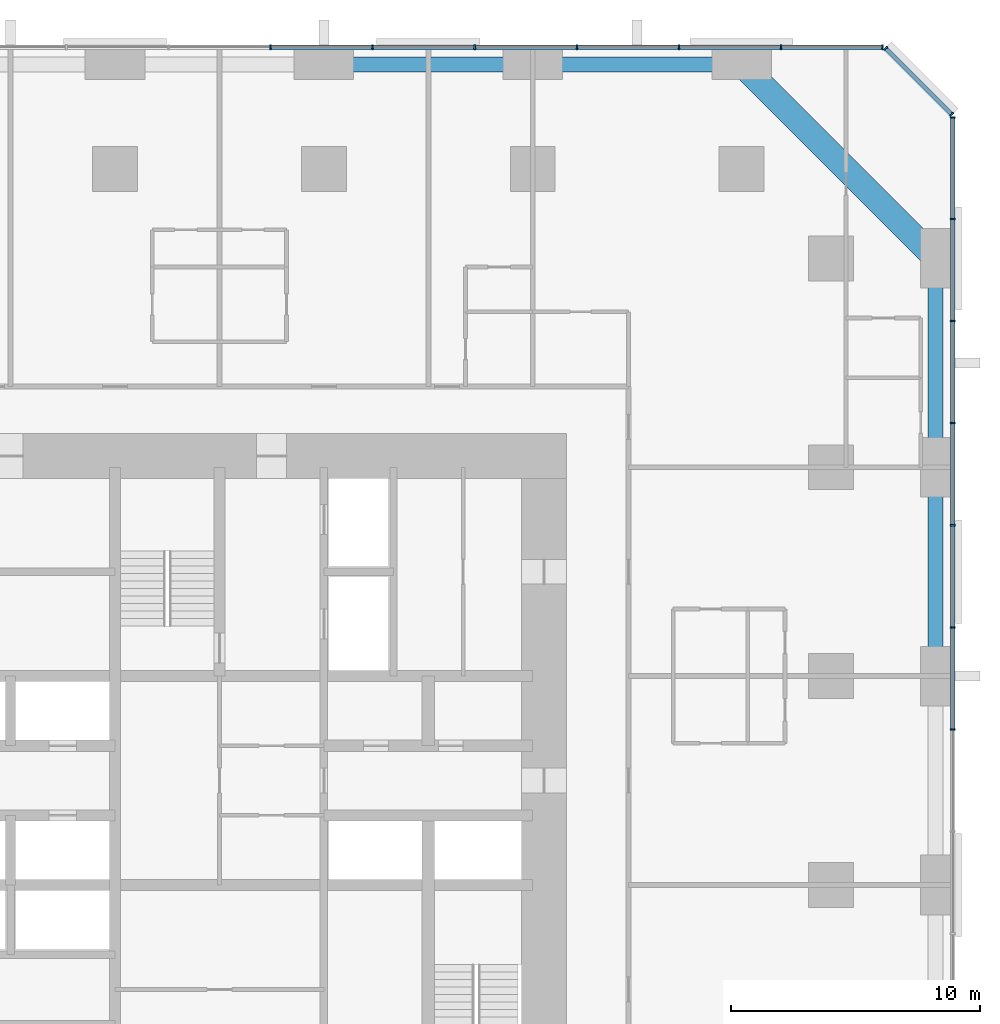
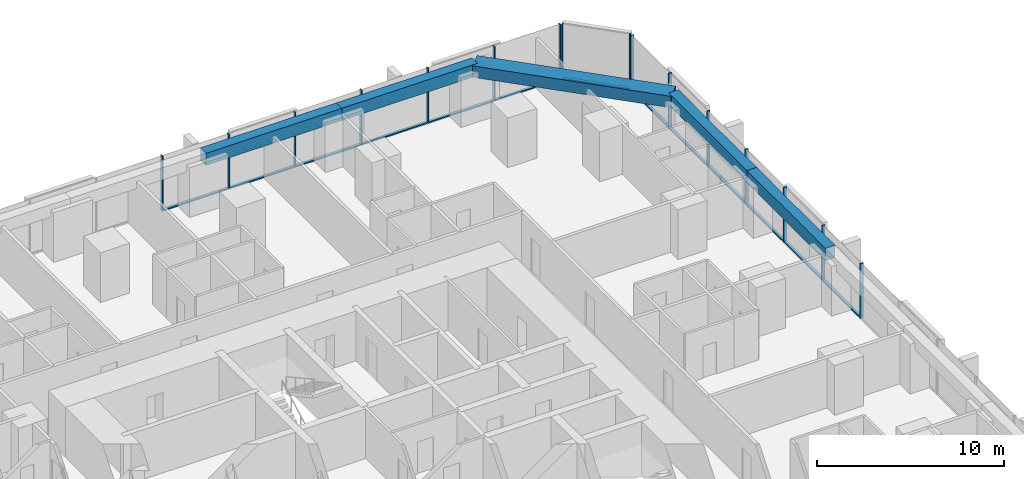
# One storey, part 8 of 17: 29 members, 5 beams, 3 elements without a shape of their own.
"""IFC4 building model written with IfcOpenShell, lengths in metres."""

from ifc_helpers import new_model, si_unit, direction, frame, origin, origin_2d, place, context, subcontext, project, spatial, rectangle, extrude, material, material_profile, profile_set, type_object, element, aggregate, save


model = new_model("IFC4")

# Units and contexts
model_context = context("Model", 3, precision=1e-05, world=origin(), true_north=direction((0.0, 1.0)))
body_context = subcontext(model_context, "Body", "Model", "MODEL_VIEW")
ifc_project = project(units=[si_unit("LENGTHUNIT", "METRE"), si_unit("AREAUNIT", "SQUARE_METRE"), si_unit("VOLUMEUNIT", "CUBIC_METRE"), si_unit("PLANEANGLEUNIT", "RADIAN"), si_unit("MASSUNIT", "GRAM", prefix="KILO")], contexts=[model_context])

# Site, building, storey
site_placement = place(None, origin())
site = spatial("IfcSite", under=ifc_project, at=site_placement, CompositionType="ELEMENT")
building_placement = place(site_placement, origin())
building = spatial("IfcBuilding", under=site, at=building_placement, Name="Dunama Terrace Hotel", CompositionType="ELEMENT")
storey_placement = place(building_placement, frame((0.0, 0.0, 41.39990234375)))
storey = spatial("IfcBuildingStorey", under=building, at=storey_placement, Name="L09", CompositionType="ELEMENT", Elevation=41.39990234375)

# Curtain wall, members
ifc_material_1 = material(Name="Aluminium curtain wall system", Category="aluminium")
curtain_wall_type = type_object("IfcCurtainWallType", Name="Unitised fritted glass wall CW-A", PredefinedType="NOTDEFINED", material=ifc_material_1)
curtain_wall_1_placement = place(storey_placement, origin())
curtain_wall_1 = element("IfcCurtainWall", 1, at=curtain_wall_1_placement, inside=storey, type_object=curtain_wall_type, Name="Unitised fritted glass wall CW-A L09", PredefinedType="NOTDEFINED")
ifc_material_2 = material(Name="Aluminium mullion", Category="aluminium")
ifc_material_profile_1 = material_profile(ifc_material_2, rectangle(XDim=0.06494140625, YDim=0.199951171875, at=origin_2d()), Name="CWA MULLION 65X200")
ifc_profile_set_1 = profile_set([ifc_material_profile_1], Name="Aluminium mullion")
member_type_1 = type_object("IfcMemberType", Name="CWA mullion 65x200", PredefinedType="MULLION", material=ifc_profile_set_1)
member_1_placement = place(storey_placement, frame((58.89990234375, 31.4541015625, 0.0), z_axis=(0.0, 0.0, 1.0), x_axis=(0.0, 1.0, 0.0)))
member_1 = element("IfcMember", 2, at=member_1_placement, type_object=member_type_1, Name="CWA mullion", PredefinedType="MULLION", context=body_context, shape_type="SweptSolid", body=[
    extrude(rectangle(XDim=0.06494140625, YDim=0.199951171875, at=origin_2d()), origin(), (0.0, 0.0, 1.0), 3.60009765625),
])
member_2_placement = place(storey_placement, frame((58.89990234375, 35.56201171875, 0.0), z_axis=(0.0, 0.0, 1.0), x_axis=(0.0, 1.0, 0.0)))
member_2 = element("IfcMember", 3, at=member_2_placement, type_object=member_type_1, Name="CWA mullion", PredefinedType="MULLION", context=body_context, shape_type="SweptSolid", body=[
    extrude(rectangle(XDim=0.06494140625, YDim=0.199951171875, at=origin_2d()), origin(), (0.0, 0.0, 1.0), 3.60009765625),
])
member_3_placement = place(storey_placement, frame((58.89990234375, 39.6689453125, 0.0), z_axis=(0.0, 0.0, 1.0), x_axis=(0.0, 1.0, 0.0)))
member_3 = element("IfcMember", 4, at=member_3_placement, type_object=member_type_1, Name="CWA mullion", PredefinedType="MULLION", context=body_context, shape_type="SweptSolid", body=[
    extrude(rectangle(XDim=0.06494140625, YDim=0.199951171875, at=origin_2d()), origin(), (0.0, 0.0, 1.0), 3.60009765625),
])
member_4_placement = place(storey_placement, frame((58.89990234375, 43.777099609375, 0.0), z_axis=(0.0, 0.0, 1.0), x_axis=(0.0, 1.0, 0.0)))
member_4 = element("IfcMember", 5, at=member_4_placement, type_object=member_type_1, Name="CWA mullion", PredefinedType="MULLION", context=body_context, shape_type="SweptSolid", body=[
    extrude(rectangle(XDim=0.06494140625, YDim=0.199951171875, at=origin_2d()), origin(), (0.0, 0.0, 1.0), 3.60009765625),
])
member_5_placement = place(storey_placement, frame((58.89990234375, 47.885009765625, 0.0), z_axis=(0.0, 0.0, 1.0), x_axis=(0.0, 1.0, 0.0)))
member_5 = element("IfcMember", 6, at=member_5_placement, type_object=member_type_1, Name="CWA mullion", PredefinedType="MULLION", context=body_context, shape_type="SweptSolid", body=[
    extrude(rectangle(XDim=0.06494140625, YDim=0.199951171875, at=origin_2d()), origin(), (0.0, 0.0, 1.0), 3.60009765625),
])
member_6_placement = place(storey_placement, frame((58.89990234375, 51.991943359375, 0.0), z_axis=(0.0, 0.0, 1.0), x_axis=(0.0, 1.0, 0.0)))
member_6 = element("IfcMember", 7, at=member_6_placement, type_object=member_type_1, Name="CWA mullion", PredefinedType="MULLION", context=body_context, shape_type="SweptSolid", body=[
    extrude(rectangle(XDim=0.06494140625, YDim=0.199951171875, at=origin_2d()), origin(), (0.0, 0.0, 1.0), 3.60009765625),
])
member_7_placement = place(storey_placement, frame((58.89990234375, 56.06689453125, 0.0), z_axis=(0.0, 0.0, 1.0), x_axis=(0.0, 1.0, 0.0)))
member_7 = element("IfcMember", 8, at=member_7_placement, type_object=member_type_1, Name="CWA mullion", PredefinedType="MULLION", context=body_context, shape_type="SweptSolid", body=[
    extrude(rectangle(XDim=0.06494140625, YDim=0.199951171875, at=origin_2d()), origin(), (0.0, 0.0, 1.0), 3.60009765625),
])

curtain_wall_2_placement = place(storey_placement, origin())
curtain_wall_2 = element("IfcCurtainWall", 9, at=curtain_wall_2_placement, inside=storey, type_object=curtain_wall_type, Name="Unitised fritted glass wall CW-A L09", PredefinedType="NOTDEFINED")
member_8_placement = place(storey_placement, frame((58.847900390625, 56.194091796875, 0.0), z_axis=(0.0, 0.0, 1.0), x_axis=(-0.707106781187, 0.707106781187, 0.0)))
member_8 = element("IfcMember", 10, at=member_8_placement, type_object=member_type_1, Name="CWA mullion", PredefinedType="MULLION", context=body_context, shape_type="SweptSolid", body=[
    extrude(rectangle(XDim=0.06494140625, YDim=0.199951171875, at=origin_2d()), origin(), (0.0, 0.0, 1.0), 3.60009765625),
])
member_9_placement = place(storey_placement, frame((56.194091796875, 58.847900390625, 0.0), z_axis=(0.0, 0.0, 1.0), x_axis=(-0.707106781187, 0.707106781187, 0.0)))
member_9 = element("IfcMember", 11, at=member_9_placement, type_object=member_type_1, Name="CWA mullion", PredefinedType="MULLION", context=body_context, shape_type="SweptSolid", body=[
    extrude(rectangle(XDim=0.06494140625, YDim=0.199951171875, at=origin_2d()), origin(), (0.0, 0.0, 1.0), 3.60009765625),
])

curtain_wall_3_placement = place(storey_placement, origin())
curtain_wall_3 = element("IfcCurtainWall", 12, at=curtain_wall_3_placement, inside=storey, type_object=curtain_wall_type, Name="Unitised fritted glass wall CW-A L09", PredefinedType="NOTDEFINED")
member_10_placement = place(storey_placement, frame((56.06689453125, 58.89990234375, 0.0), z_axis=(0.0, 0.0, 1.0), x_axis=(-1.0, 0.0, 0.0)))
member_10 = element("IfcMember", 13, at=member_10_placement, type_object=member_type_1, Name="CWA mullion", PredefinedType="MULLION", context=body_context, shape_type="SweptSolid", body=[
    extrude(rectangle(XDim=0.06494140625, YDim=0.199951171875, at=origin_2d()), origin(), (0.0, 0.0, 1.0), 3.60009765625),
])
member_11_placement = place(storey_placement, frame((51.991943359375, 58.89990234375, 0.0), z_axis=(0.0, 0.0, 1.0), x_axis=(-1.0, 0.0, 0.0)))
member_11 = element("IfcMember", 14, at=member_11_placement, type_object=member_type_1, Name="CWA mullion", PredefinedType="MULLION", context=body_context, shape_type="SweptSolid", body=[
    extrude(rectangle(XDim=0.06494140625, YDim=0.199951171875, at=origin_2d()), origin(), (0.0, 0.0, 1.0), 3.60009765625),
])
member_12_placement = place(storey_placement, frame((47.885009765625, 58.89990234375, 0.0), z_axis=(0.0, 0.0, 1.0), x_axis=(-1.0, 0.0, 0.0)))
member_12 = element("IfcMember", 15, at=member_12_placement, type_object=member_type_1, Name="CWA mullion", PredefinedType="MULLION", context=body_context, shape_type="SweptSolid", body=[
    extrude(rectangle(XDim=0.06494140625, YDim=0.199951171875, at=origin_2d()), origin(), (0.0, 0.0, 1.0), 3.60009765625),
])
member_13_placement = place(storey_placement, frame((43.777099609375, 58.89990234375, 0.0), z_axis=(0.0, 0.0, 1.0), x_axis=(-1.0, 0.0, 0.0)))
member_13 = element("IfcMember", 16, at=member_13_placement, type_object=member_type_1, Name="CWA mullion", PredefinedType="MULLION", context=body_context, shape_type="SweptSolid", body=[
    extrude(rectangle(XDim=0.06494140625, YDim=0.199951171875, at=origin_2d()), origin(), (0.0, 0.0, 1.0), 3.60009765625),
])
member_14_placement = place(storey_placement, frame((39.6689453125, 58.89990234375, 0.0), z_axis=(0.0, 0.0, 1.0), x_axis=(-1.0, 0.0, 0.0)))
member_14 = element("IfcMember", 17, at=member_14_placement, type_object=member_type_1, Name="CWA mullion", PredefinedType="MULLION", context=body_context, shape_type="SweptSolid", body=[
    extrude(rectangle(XDim=0.06494140625, YDim=0.199951171875, at=origin_2d()), origin(), (0.0, 0.0, 1.0), 3.60009765625),
])
member_15_placement = place(storey_placement, frame((35.56201171875, 58.89990234375, 0.0), z_axis=(0.0, 0.0, 1.0), x_axis=(-1.0, 0.0, 0.0)))
member_15 = element("IfcMember", 18, at=member_15_placement, type_object=member_type_1, Name="CWA mullion", PredefinedType="MULLION", context=body_context, shape_type="SweptSolid", body=[
    extrude(rectangle(XDim=0.06494140625, YDim=0.199951171875, at=origin_2d()), origin(), (0.0, 0.0, 1.0), 3.60009765625),
])
member_16_placement = place(storey_placement, frame((31.4541015625, 58.89990234375, 0.0), z_axis=(0.0, 0.0, 1.0), x_axis=(-1.0, 0.0, 0.0)))
member_16 = element("IfcMember", 19, at=member_16_placement, type_object=member_type_1, Name="CWA mullion", PredefinedType="MULLION", context=body_context, shape_type="SweptSolid", body=[
    extrude(rectangle(XDim=0.06494140625, YDim=0.199951171875, at=origin_2d()), origin(), (0.0, 0.0, 1.0), 3.60009765625),
])

# Member
ifc_material_3 = material(Name="Aluminium transom", Category="aluminium")
ifc_material_profile_2 = material_profile(ifc_material_3, rectangle(XDim=0.179931640625, YDim=0.074951171875, at=origin_2d()), Name="CWA TRANSOM 180X75")
ifc_profile_set_2 = profile_set([ifc_material_profile_2], Name="Aluminium transom")
member_type_2 = type_object("IfcMemberType", Name="CWA transom 180x75", PredefinedType="USERDEFINED", material=ifc_profile_set_2)
member_17_placement = place(storey_placement, frame((58.89990234375, 31.486083984375, 0.03759765625), z_axis=(0.0, 1.0, 0.0), x_axis=(-1.0, 0.0, 0.0)))
member_17 = element("IfcMember", 20, at=member_17_placement, type_object=member_type_2, Name="CWA transom", ObjectType="TRANSOM", PredefinedType="USERDEFINED", context=body_context, shape_type="SweptSolid", body=[
    extrude(rectangle(XDim=0.179931640625, YDim=0.074951171875, at=origin_2d()), origin(), (0.0, 0.0, 1.0), 4.04296875),
])

member_18_placement = place(storey_placement, frame((58.89990234375, 35.593994140625, 0.03759765625), z_axis=(0.0, 1.0, 0.0), x_axis=(-1.0, 0.0, 0.0)))
member_18 = element("IfcMember", 21, at=member_18_placement, type_object=member_type_2, Name="CWA transom", ObjectType="TRANSOM", PredefinedType="USERDEFINED", context=body_context, shape_type="SweptSolid", body=[
    extrude(rectangle(XDim=0.179931640625, YDim=0.074951171875, at=origin_2d()), origin(), (0.0, 0.0, 1.0), 4.04296875),
])

member_19_placement = place(storey_placement, frame((58.89990234375, 39.701904296875, 0.03759765625), z_axis=(0.0, 1.0, 0.0), x_axis=(-1.0, 0.0, 0.0)))
member_19 = element("IfcMember", 22, at=member_19_placement, type_object=member_type_2, Name="CWA transom", ObjectType="TRANSOM", PredefinedType="USERDEFINED", context=body_context, shape_type="SweptSolid", body=[
    extrude(rectangle(XDim=0.179931640625, YDim=0.074951171875, at=origin_2d()), origin(), (0.0, 0.0, 1.0), 4.0419921875),
])

member_20_placement = place(storey_placement, frame((58.89990234375, 43.80908203125, 0.03759765625), z_axis=(0.0, 1.0, 0.0), x_axis=(-1.0, 0.0, 0.0)))
member_20 = element("IfcMember", 23, at=member_20_placement, type_object=member_type_2, Name="CWA transom", ObjectType="TRANSOM", PredefinedType="USERDEFINED", context=body_context, shape_type="SweptSolid", body=[
    extrude(rectangle(XDim=0.179931640625, YDim=0.074951171875, at=origin_2d()), origin(), (0.0, 0.0, 1.0), 4.04296875),
])

member_21_placement = place(storey_placement, frame((58.89990234375, 47.9169921875, 0.03759765625), z_axis=(0.0, 1.0, 0.0), x_axis=(-1.0, 0.0, 0.0)))
member_21 = element("IfcMember", 24, at=member_21_placement, type_object=member_type_2, Name="CWA transom", ObjectType="TRANSOM", PredefinedType="USERDEFINED", context=body_context, shape_type="SweptSolid", body=[
    extrude(rectangle(XDim=0.179931640625, YDim=0.074951171875, at=origin_2d()), origin(), (0.0, 0.0, 1.0), 4.04296875),
])

member_22_placement = place(storey_placement, frame((58.89990234375, 52.02490234375, 0.03759765625), z_axis=(0.0, 1.0, 0.0), x_axis=(-1.0, 0.0, 0.0)))
member_22 = element("IfcMember", 25, at=member_22_placement, type_object=member_type_2, Name="CWA transom", ObjectType="TRANSOM", PredefinedType="USERDEFINED", context=body_context, shape_type="SweptSolid", body=[
    extrude(rectangle(XDim=0.179931640625, YDim=0.074951171875, at=origin_2d()), origin(), (0.0, 0.0, 1.0), 4.010009765625),
])

aggregate(curtain_wall_1, [member_1, member_2, member_3, member_4, member_5, member_6, member_7, member_17, member_18, member_19, member_20, member_21, member_22])

member_23_placement = place(storey_placement, frame((58.824951171875, 56.217041015625, 0.03759765625), z_axis=(-0.707106781187, 0.707106781187, 0.0), x_axis=(-0.707106781187, -0.707106781187, 0.0)))
member_23 = element("IfcMember", 26, at=member_23_placement, type_object=member_type_2, Name="CWA transom", ObjectType="TRANSOM", PredefinedType="USERDEFINED", context=body_context, shape_type="SweptSolid", body=[
    extrude(rectangle(XDim=0.179931640625, YDim=0.074951171875, at=origin_2d()), origin(), (0.0, 0.0, 1.0), 3.688232421875),
])

aggregate(curtain_wall_2, [member_8, member_9, member_23])

member_24_placement = place(storey_placement, frame((56.034912109375, 58.89990234375, 0.03759765625), z_axis=(-1.0, 0.0, 0.0), x_axis=(0.0, -1.0, 0.0)))
member_24 = element("IfcMember", 27, at=member_24_placement, type_object=member_type_2, Name="CWA transom", ObjectType="TRANSOM", PredefinedType="USERDEFINED", context=body_context, shape_type="SweptSolid", body=[
    extrude(rectangle(XDim=0.179931640625, YDim=0.074951171875, at=origin_2d()), origin(), (0.0, 0.0, 1.0), 4.010009765625),
])

member_25_placement = place(storey_placement, frame((51.9599609375, 58.89990234375, 0.03759765625), z_axis=(-1.0, 0.0, 0.0), x_axis=(0.0, -1.0, 0.0)))
member_25 = element("IfcMember", 28, at=member_25_placement, type_object=member_type_2, Name="CWA transom", ObjectType="TRANSOM", PredefinedType="USERDEFINED", context=body_context, shape_type="SweptSolid", body=[
    extrude(rectangle(XDim=0.179931640625, YDim=0.074951171875, at=origin_2d()), origin(), (0.0, 0.0, 1.0), 4.04296875),
])

member_26_placement = place(storey_placement, frame((47.85205078125, 58.89990234375, 0.03759765625), z_axis=(-1.0, 0.0, 0.0), x_axis=(0.0, -1.0, 0.0)))
member_26 = element("IfcMember", 29, at=member_26_placement, type_object=member_type_2, Name="CWA transom", ObjectType="TRANSOM", PredefinedType="USERDEFINED", context=body_context, shape_type="SweptSolid", body=[
    extrude(rectangle(XDim=0.179931640625, YDim=0.074951171875, at=origin_2d()), origin(), (0.0, 0.0, 1.0), 4.04296875),
])

member_27_placement = place(storey_placement, frame((43.743896484375, 58.89990234375, 0.03759765625), z_axis=(-1.0, 0.0, 0.0), x_axis=(0.0, -1.0, 0.0)))
member_27 = element("IfcMember", 30, at=member_27_placement, type_object=member_type_2, Name="CWA transom", ObjectType="TRANSOM", PredefinedType="USERDEFINED", context=body_context, shape_type="SweptSolid", body=[
    extrude(rectangle(XDim=0.179931640625, YDim=0.074951171875, at=origin_2d()), origin(), (0.0, 0.0, 1.0), 4.0419921875),
])

member_28_placement = place(storey_placement, frame((39.636962890625, 58.89990234375, 0.03759765625), z_axis=(-1.0, 0.0, 0.0), x_axis=(0.0, -1.0, 0.0)))
member_28 = element("IfcMember", 31, at=member_28_placement, type_object=member_type_2, Name="CWA transom", ObjectType="TRANSOM", PredefinedType="USERDEFINED", context=body_context, shape_type="SweptSolid", body=[
    extrude(rectangle(XDim=0.179931640625, YDim=0.074951171875, at=origin_2d()), origin(), (0.0, 0.0, 1.0), 4.04296875),
])

member_29_placement = place(storey_placement, frame((35.529052734375, 58.89990234375, 0.03759765625), z_axis=(-1.0, 0.0, 0.0), x_axis=(0.0, -1.0, 0.0)))
member_29 = element("IfcMember", 32, at=member_29_placement, type_object=member_type_2, Name="CWA transom", ObjectType="TRANSOM", PredefinedType="USERDEFINED", context=body_context, shape_type="SweptSolid", body=[
    extrude(rectangle(XDim=0.179931640625, YDim=0.074951171875, at=origin_2d()), origin(), (0.0, 0.0, 1.0), 4.04296875),
])

aggregate(curtain_wall_3, [member_10, member_11, member_12, member_13, member_14, member_15, member_16, member_24, member_25, member_26, member_27, member_28, member_29])

# Beams
ifc_material_4 = material(Name="Concrete C50/60", Category="concrete")
ifc_material_profile_3 = material_profile(ifc_material_4, rectangle(XDim=1.0, YDim=0.75, at=origin_2d()), Name="RC 1000x750")
ifc_profile_set_3 = profile_set([ifc_material_profile_3], Name="Concrete C50/60")
beam_type_1 = type_object("IfcBeamType", Name="Edge beam RC 1000x750", PredefinedType="SPANDREL", material=ifc_profile_set_3)
beam_placement = place(storey_placement, frame((50.39990234375, 58.199951171875, 3.22509765625), z_axis=(0.707106781187, -0.707106781187, 0.0), x_axis=(0.707106781187, 0.707106781187, 0.0)))
element("IfcBeam", 33, at=beam_placement, inside=storey, type_object=beam_type_1, Name="Corner edge beam under L10", PredefinedType="SPANDREL", context=body_context, shape_type="SweptSolid", body=[
    extrude(rectangle(XDim=1.0, YDim=0.75, at=origin_2d()), origin(), (0.0, 0.0, 1.0), 11.031005859375),
])
ifc_material_5 = material(Name="Concrete C40/50", Category="concrete")
ifc_material_profile_4 = material_profile(ifc_material_5, rectangle(XDim=0.60009765625, YDim=0.800048828125, at=origin_2d()), Name="RC 600x800")
ifc_profile_set_4 = profile_set([ifc_material_profile_4], Name="Concrete C40/50")
beam_type_2 = type_object("IfcBeamType", Name="Edge beam RC 600x800", PredefinedType="SPANDREL", material=ifc_profile_set_4)
for number, where, z_axis, x_axis, name in (
    (34, (58.199951171875, 33.60009765625, 3.2001953125), (0.0, 1.0, 0.0), (-1.0, 0.0, 0.0), "Edge beam under L10"),
    (35, (58.199951171875, 42.0, 3.2001953125), (0.0, 1.0, 0.0), (-1.0, 0.0, 0.0), "Edge beam under L10"),
    (36, (33.60009765625, 58.199951171875, 3.2001953125), (1.0, 0.0, 0.0), (0.0, 1.0, 0.0), "Edge beam under L10"),
    (37, (42.0, 58.199951171875, 3.2001953125), (1.0, 0.0, 0.0), (0.0, 1.0, 0.0), "Edge beam under L10"),
):
    element("IfcBeam", number, at=place(storey_placement, frame(where, z_axis=z_axis, x_axis=x_axis)), inside=storey, type_object=beam_type_2, Name=name, PredefinedType="SPANDREL", context=body_context, shape_type="SweptSolid", body=[
        extrude(rectangle(XDim=0.60009765625, YDim=0.800048828125, at=origin_2d()), origin(), (0.0, 0.0, 1.0), 8.39990234375),
    ])

save(model, "model.ifc")
